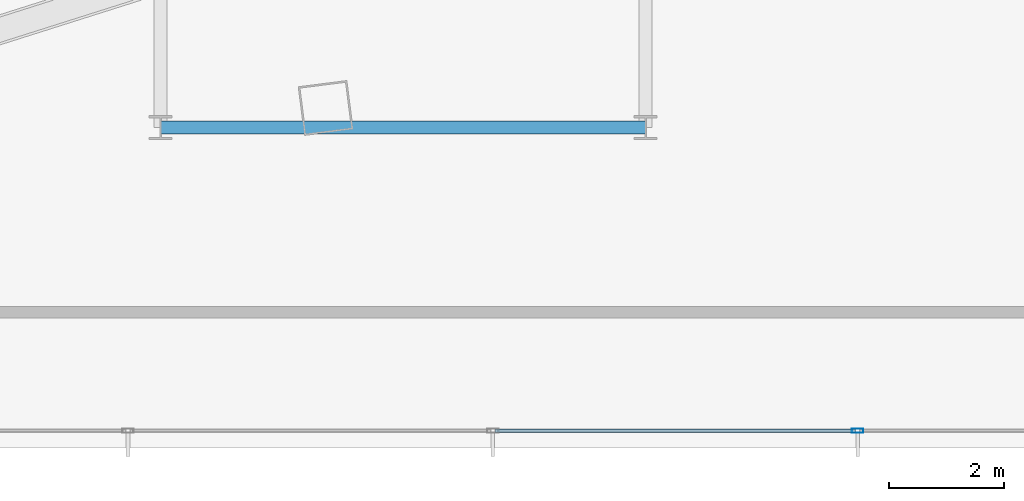
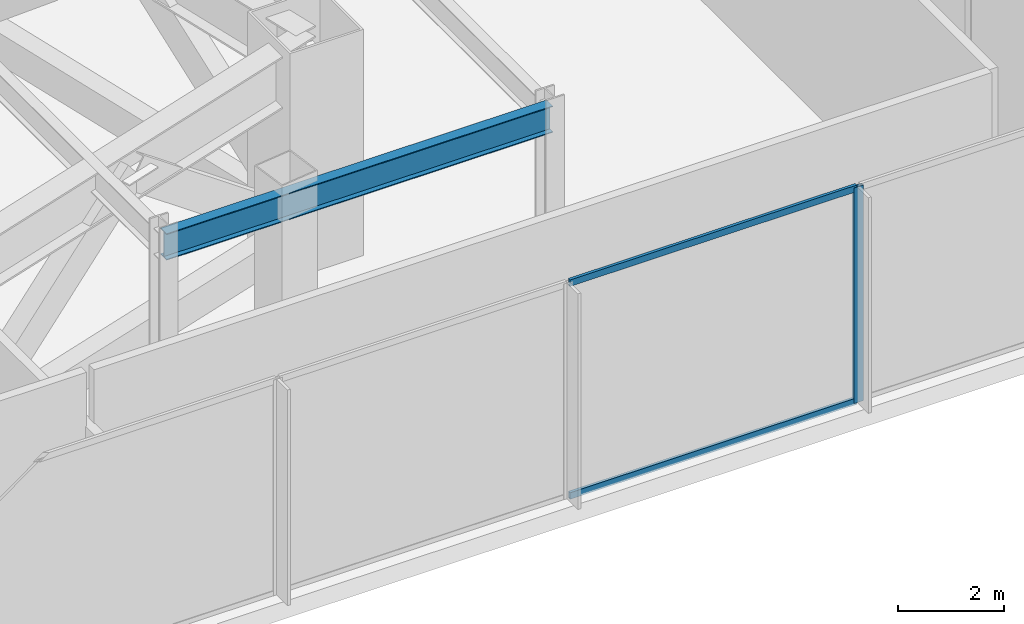
# One storey, part 14 of 43: 3 members, 1 beam, 1 element without a shape of its own.
"""IFC4 building model written with IfcOpenShell, lengths in metres."""

from ifc_helpers import new_model, si_unit, direction, frame, origin, origin_2d, place, context, subcontext, project, spatial, hollow_rectangle, i_section, extrude, material, layer, layer_set, material_profile, profile_set, type_object, element, aggregate, save


model = new_model("IFC4")

# Units and contexts
model_context = context("Model", 3, precision=1e-05, world=origin(), true_north=direction((0.0, 1.0)))
body_context = subcontext(model_context, "Body", "Model", "MODEL_VIEW")
ifc_project = project(units=[si_unit("LENGTHUNIT", "METRE"), si_unit("AREAUNIT", "SQUARE_METRE"), si_unit("VOLUMEUNIT", "CUBIC_METRE"), si_unit("PLANEANGLEUNIT", "RADIAN"), si_unit("MASSUNIT", "GRAM", prefix="KILO")], contexts=[model_context])

# Site, building, storey
site_placement = place(None, origin())
site = spatial("IfcSite", under=ifc_project, at=site_placement, CompositionType="ELEMENT")
building_placement = place(site_placement, origin())
building = spatial("IfcBuilding", under=site, at=building_placement, Name="Orvanel Arch Residences", CompositionType="ELEMENT")
storey_placement = place(building_placement, frame((0.0, 0.0, 18.39990234375)))
storey = spatial("IfcBuildingStorey", under=building, at=storey_placement, Name="L04", CompositionType="ELEMENT", Elevation=18.39990234375)

# Beam
ifc_material_1 = material(Name="Structural steel AS/NZS 3679.1 Grade 300 (300 MPa)", Category="steel")
ifc_material_profile_1 = material_profile(ifc_material_1, i_section(OverallWidth=0.22900390625, OverallDepth=0.612060546875, WebThickness=0.011962890625, FlangeThickness=0.01953125, at=origin_2d()), Name="610UB125")
ifc_profile_set_1 = profile_set([ifc_material_profile_1], Name="Structural steel AS/NZS 3679.1 Grade 300 (300 MPa)")
beam_type = type_object("IfcBeamType", Name="BG-610UB", PredefinedType="BEAM", material=ifc_profile_set_1)
beam_placement = place(storey_placement, frame((46.199951171875, 6.0, 4.654052734375), z_axis=(1.0, 0.0, 0.0), x_axis=(0.0, 1.0, 0.0)))
element("IfcBeam", 1, at=beam_placement, inside=storey, type_object=beam_type, Name="L04 BG-610UB beam", PredefinedType="BEAM", context=body_context, shape_type="SweptSolid", body=[
    extrude(i_section(OverallWidth=0.22900390625, OverallDepth=0.612060546875, WebThickness=0.011962890625, FlangeThickness=0.01953125, at=origin_2d()), origin(), (0.0, 0.0, 1.0), 8.400146484375),
])

# Curtain wall, members
ifc_material_2 = material(Name="Bronze-anodised aluminium AA6063-T6", Category="aluminium")
ifc_layer = layer(ifc_material_2, 0.199951171875)
ifc_layer_set = layer_set([ifc_layer], Name="Bronze-anodised aluminium AA6063-T6")
curtain_wall_type = type_object("IfcCurtainWallType", Name="CW1-POD-SYS", PredefinedType="NOTDEFINED", material=ifc_layer_set)
curtain_wall_placement = place(storey_placement, origin())
curtain_wall = element("IfcCurtainWall", 2, at=curtain_wall_placement, inside=storey, type_object=curtain_wall_type, Name="L04 CW1-POD-SYS Unitised Curtain Wall", PredefinedType="NOTDEFINED")
ifc_material_profile_2 = material_profile(ifc_material_2, hollow_rectangle(XDim=0.074951171875, YDim=0.199951171875, WallThickness=0.0048828125, at=origin_2d()), Name="ALU200x75x5")
ifc_profile_set_2 = profile_set([ifc_material_profile_2], Name="Bronze-anodised aluminium AA6063-T6")
member_type_1 = type_object("IfcMemberType", Name="MUL-200x75", PredefinedType="MULLION", material=ifc_profile_set_2)
member_1_placement = place(storey_placement, frame((58.27197265625, 0.75, 0.0), z_axis=(0.0, 0.0, 1.0), x_axis=(0.0, 1.0, 0.0)))
member_1 = element("IfcMember", 3, at=member_1_placement, type_object=member_type_1, Name="CW-S1 mullion 10", PredefinedType="MULLION", context=body_context, shape_type="SweptSolid", body=[
    extrude(hollow_rectangle(XDim=0.074951171875, YDim=0.199951171875, WallThickness=0.0048828125, at=origin_2d()), origin(), (0.0, 0.0, 1.0), 4.960205078125),
])
ifc_material_profile_3 = material_profile(ifc_material_2, hollow_rectangle(XDim=0.06494140625, YDim=0.14990234375, WallThickness=0.00390625, at=origin_2d()), Name="ALU150x65x4")
ifc_profile_set_3 = profile_set([ifc_material_profile_3], Name="Bronze-anodised aluminium AA6063-T6")
member_type_2 = type_object("IfcMemberType", Name="TRN-150x65", PredefinedType="USERDEFINED", material=ifc_profile_set_3)
member_2_placement = place(storey_placement, frame((51.991455078125, 0.75, 0.03271484375), z_axis=(1.0, 0.0, 0.0), x_axis=(0.0, 1.0, 0.0)))
member_2 = element("IfcMember", 4, at=member_2_placement, type_object=member_type_2, Name="CW-S1 transom 9.1", ObjectType="TRANSOM", PredefinedType="USERDEFINED", context=body_context, shape_type="SweptSolid", body=[
    extrude(hollow_rectangle(XDim=0.06494140625, YDim=0.14990234375, WallThickness=0.00390625, at=origin_2d()), origin(), (0.0, 0.0, 1.0), 6.2431640625),
])
member_3_placement = place(storey_placement, frame((51.991455078125, 0.75, 4.927490234375), z_axis=(1.0, 0.0, 0.0), x_axis=(0.0, 1.0, 0.0)))
member_3 = element("IfcMember", 5, at=member_3_placement, type_object=member_type_2, Name="CW-S1 transom 9.2", ObjectType="TRANSOM", PredefinedType="USERDEFINED", context=body_context, shape_type="SweptSolid", body=[
    extrude(hollow_rectangle(XDim=0.06494140625, YDim=0.14990234375, WallThickness=0.00390625, at=origin_2d()), origin(), (0.0, 0.0, 1.0), 6.2431640625),
])
aggregate(curtain_wall, [member_1, member_2, member_3])

save(model, "model.ifc")
